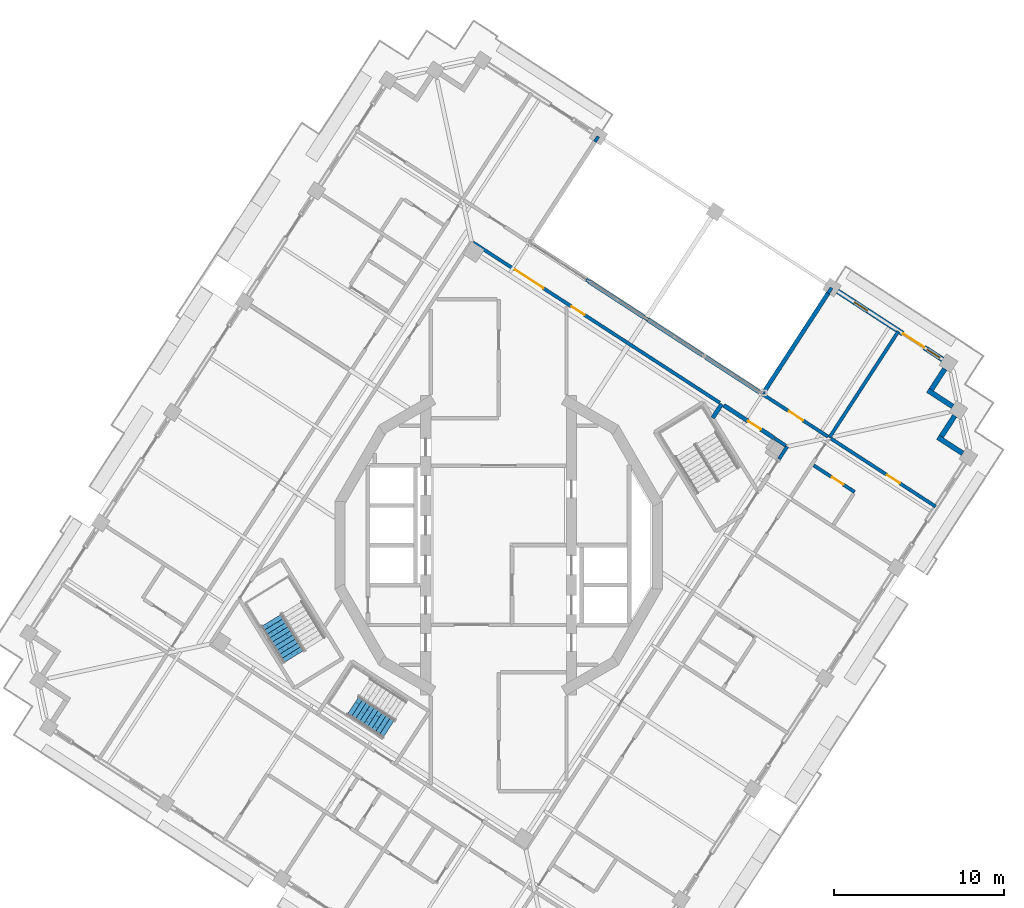
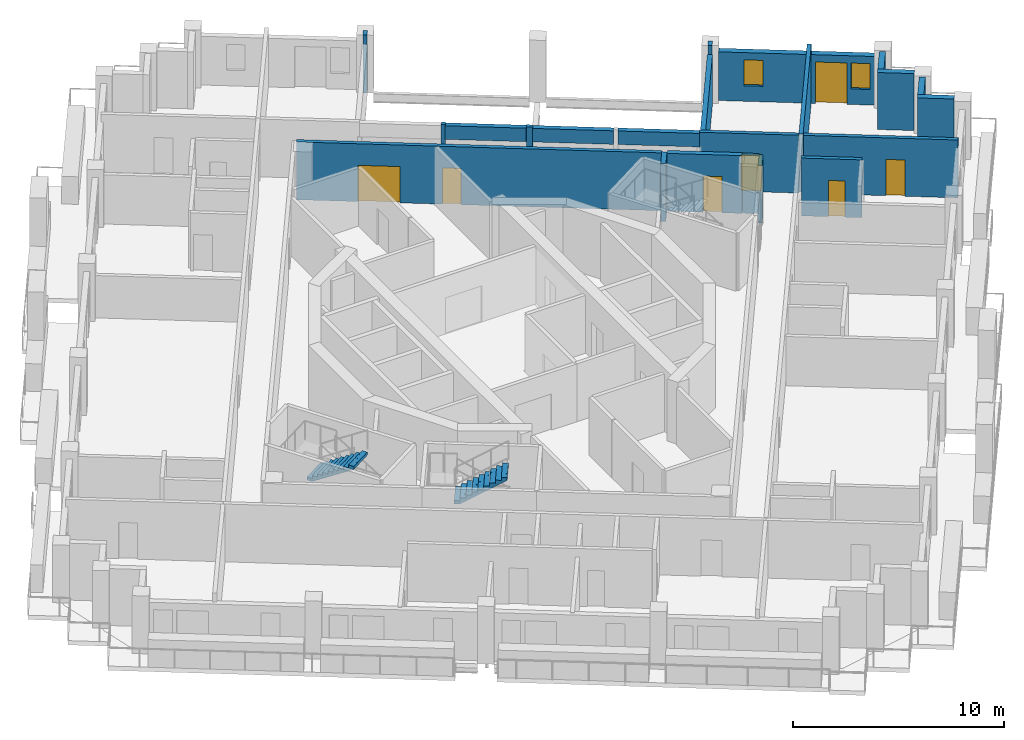
# One storey, part 11 of 17: 22 walls, 7 doors, 2 stair flights, 2 windows, 9 openings, 2 elements without a shape of their own.
"""IFC4 building model written with IfcOpenShell, lengths in metres."""

from ifc_helpers import new_model, si_unit, direction, frame, frame_2d, origin, place, context, subcontext, project, spatial, polyline, rectangle, outline, extrude, material, layer, layer_set, type_object, element, fill, aggregate, save


model = new_model("IFC4")

# Units and contexts
model_context = context("Model", 3, precision=1e-05, world=origin(), true_north=direction((0.0, 1.0)))
body_context = subcontext(model_context, "Body", "Model", "MODEL_VIEW")
ifc_project = project(units=[si_unit("LENGTHUNIT", "METRE"), si_unit("AREAUNIT", "SQUARE_METRE"), si_unit("VOLUMEUNIT", "CUBIC_METRE"), si_unit("PLANEANGLEUNIT", "RADIAN"), si_unit("MASSUNIT", "GRAM", prefix="KILO")], contexts=[model_context])

# Site, building, storey
site_placement = place(None, origin())
site = spatial("IfcSite", under=ifc_project, at=site_placement, CompositionType="ELEMENT")
building_placement = place(site_placement, origin())
building = spatial("IfcBuilding", under=site, at=building_placement, Name="Cantera Rosa Tower", CompositionType="ELEMENT")
storey_placement = place(building_placement, frame((0.0, 0.0, 279.300048828125)))
storey = spatial("IfcBuildingStorey", under=building, at=storey_placement, Name="L63", CompositionType="ELEMENT", Elevation=279.300048828125)

# Wall, openings, doors
ifc_material_1 = material(Name="Gypsum board partition")
ifc_layer_1 = layer(ifc_material_1, 0.199951171875)
ifc_layer_set_1 = layer_set([ifc_layer_1], Name="CORRIDOR WALL 200 H3350")
wall_type_1 = type_object("IfcWallType", Name="CORRIDOR WALL 200 H3350", PredefinedType="PARTITIONING", material=ifc_layer_set_1)
wall_1_placement = place(storey_placement, frame((13.04052734375, 8.4033203125, 0.0), z_axis=(0.0, 0.0, 1.0), x_axis=(-0.838668077111, 0.544642870545, 0.0)))
wall_1 = element("IfcWall", 1, at=wall_1_placement, inside=storey, type_object=wall_type_1, Name="CORRIDOR WALL L63-089", PredefinedType="PARTITIONING", context=body_context, shape_type="SweptSolid", body=[
    extrude(rectangle(XDim=17.340087890625, YDim=0.199951171875, at=frame_2d((8.669921875, 0.0))), origin(), (0.0, 0.0, 1.0), 3.349853515625),
])
opening_1_placement = place(wall_1_placement, frame((9.5107421875, 0.0, 0.0)))
opening_1 = element("IfcOpeningElement", 2, at=opening_1_placement, cuts=wall_1, Name="Opening L63-007", PredefinedType="OPENING", context=body_context, shape_type="SweptSolid", body=[
    extrude(rectangle(XDim=0.89990234375, YDim=2.10009765625, at=frame_2d((0.449951171875, 1.050048828125))), frame((0.0, 0.10986328125, 0.0), z_axis=(0.0, -1.0, 0.0), x_axis=(1.0, 0.0, 0.0)), (0.0, 0.0, 1.0), 0.219970703125),
])
opening_2_placement = place(wall_1_placement, frame((12.409912109375, 0.0, 0.0)))
opening_2 = element("IfcOpeningElement", 3, at=opening_2_placement, cuts=wall_1, Name="Opening L63-008", PredefinedType="OPENING", context=body_context, shape_type="SweptSolid", body=[
    extrude(rectangle(XDim=2.0, YDim=2.10009765625, at=frame_2d((1.0, 1.050048828125))), frame((0.0, 0.10986328125, 0.0), z_axis=(0.0, -1.0, 0.0), x_axis=(1.0, 0.0, 0.0)), (0.0, 0.0, 1.0), 0.219970703125),
])
ifc_material_2 = material(Name="Steel S355J2 (EN 10025-2)", Category="steel")
door_type_1 = type_object("IfcDoorType", Name="LOBBY SCREEN DOOR 2000x2100", OperationType="NOTDEFINED", PredefinedType="DOOR", material=ifc_material_2)
door_1_placement = place(opening_2_placement, origin())
door_1 = element("IfcDoor", 4, at=door_1_placement, inside=storey, type_object=door_type_1, Name="DOOR L63-008", OperationType="NOTDEFINED", OverallHeight=2.10009765625, OverallWidth=2.0, PredefinedType="DOOR", context=body_context, shape_type="SweptSolid", body=[
    extrude(rectangle(XDim=2.0, YDim=2.10009765625, at=frame_2d((1.0, 1.050048828125))), frame((0.0, 0.02490234375, 0.0), z_axis=(0.0, -1.0, 0.0), x_axis=(1.0, 0.0, 0.0)), (0.0, 0.0, 1.0), 0.050048828125),
])
fill(opening_2, door_1)
ifc_material_3 = material(Name="Timber door leaf", Category="wood")
door_type_2 = type_object("IfcDoorType", Name="SERVICE DOOR 900x2100", OperationType="NOTDEFINED", PredefinedType="DOOR", material=ifc_material_3)
door_2_placement = place(opening_1_placement, origin())
door_2 = element("IfcDoor", 5, at=door_2_placement, inside=storey, type_object=door_type_2, Name="DOOR L63-007", OperationType="NOTDEFINED", OverallHeight=2.10009765625, OverallWidth=0.89990234375, PredefinedType="DOOR", context=body_context, shape_type="SweptSolid", body=[
    extrude(rectangle(XDim=0.89990234375, YDim=2.10009765625, at=frame_2d((0.449951171875, 1.050048828125))), frame((0.0, 0.02490234375, 0.0), z_axis=(0.0, -1.0, 0.0), x_axis=(1.0, 0.0, 0.0)), (0.0, 0.0, 1.0), 0.050048828125),
])
fill(opening_1, door_2)

# Walls
wall_2_placement = place(storey_placement, frame((16.53662109375, 5.083740234375, 0.0), z_axis=(0.0, 0.0, 1.0), x_axis=(0.544607977269, 0.838690736264, 0.0)))
element("IfcWall", 6, at=wall_2_placement, inside=storey, type_object=wall_type_1, Name="CORRIDOR WALL L63-099", PredefinedType="PARTITIONING", context=body_context, shape_type="SweptSolid", body=[
    extrude(rectangle(XDim=0.8798828125, YDim=0.199951171875, at=frame_2d((0.43994140625, 0.0))), origin(), (0.0, 0.0, 1.0), 3.349853515625),
])
wall_3_placement = place(storey_placement, frame((16.931884765625, 5.876220703125, 0.0), z_axis=(0.0, 0.0, 1.0), x_axis=(-0.838636669764, 0.544691230082, 0.0)))
element("IfcWall", 7, at=wall_3_placement, inside=storey, type_object=wall_type_1, Name="CORRIDOR WALL L63-100", PredefinedType="PARTITIONING", context=body_context, shape_type="SweptSolid", body=[
    extrude(rectangle(XDim=0.77978515625, YDim=0.199951171875, at=frame_2d((0.389892578125, 0.0))), origin(), (0.0, 0.0, 1.0), 3.349853515625),
])

# Wall, opening, door
wall_4_placement = place(storey_placement, frame((19.422119140625, 6.405517578125, 0.0), z_axis=(0.0, 0.0, 1.0), x_axis=(-0.838698511903, 0.544596002677, 0.0)))
wall_4 = element("IfcWall", 8, at=wall_4_placement, inside=storey, type_object=wall_type_1, Name="CORRIDOR WALL L63-103", PredefinedType="PARTITIONING", context=body_context, shape_type="SweptSolid", body=[
    extrude(rectangle(XDim=4.72509765625, YDim=0.199951171875, at=frame_2d((2.362548828125, 0.0))), origin(), (0.0, 0.0, 1.0), 3.349853515625),
])
opening_3_placement = place(wall_4_placement, frame((1.75, 0.0, 0.0)))
opening_3 = element("IfcOpeningElement", 9, at=opening_3_placement, cuts=wall_4, Name="Opening L63-020", PredefinedType="OPENING", context=body_context, shape_type="SweptSolid", body=[
    extrude(rectangle(XDim=1.0, YDim=2.10009765625, at=frame_2d((0.5, 1.050048828125))), frame((0.0, 0.10986328125, 0.0), z_axis=(0.0, -1.0, 0.0), x_axis=(1.0, 0.0, 0.0)), (0.0, 0.0, 1.0), 0.219970703125),
])
ifc_material_4 = material(Name="Timber door leaf", Category="wood")
door_type_3 = type_object("IfcDoorType", Name="ROOM DOOR 1000x2100", OperationType="NOTDEFINED", PredefinedType="DOOR", material=ifc_material_4)
door_3_placement = place(opening_3_placement, origin())
door_3 = element("IfcDoor", 10, at=door_3_placement, inside=storey, type_object=door_type_3, Name="DOOR L63-020", OperationType="NOTDEFINED", OverallHeight=2.10009765625, OverallWidth=1.0, PredefinedType="DOOR", context=body_context, shape_type="SweptSolid", body=[
    extrude(rectangle(XDim=1.0, YDim=2.10009765625, at=frame_2d((0.5, 1.050048828125))), frame((0.0, 0.02490234375, 0.0), z_axis=(0.0, -1.0, 0.0), x_axis=(1.0, 0.0, 0.0)), (0.0, 0.0, 1.0), 0.050048828125),
])
fill(opening_3, door_3)

# Walls
wall_5_placement = place(storey_placement, frame((8.815673828125, 13.293212890625, 0.0), z_axis=(0.0, 0.0, 1.0), x_axis=(-0.838479965168, 0.54493242518, 0.0)))
element("IfcWall", 11, at=wall_5_placement, inside=storey, type_object=wall_type_1, Name="CORRIDOR WALL L63-105", PredefinedType="PARTITIONING", context=body_context, shape_type="SweptSolid", body=[
    extrude(rectangle(XDim=0.306884765625, YDim=0.199951171875, at=frame_2d((0.1533203125, 0.0))), origin(), (0.0, 0.0, 1.0), 3.349853515625),
])
wall_6_placement = place(storey_placement, frame((5.329833984375, 15.556884765625, 0.0), z_axis=(0.0, 0.0, 1.0), x_axis=(-0.838759510481, 0.544502051032, 0.0)))
element("IfcWall", 12, at=wall_6_placement, inside=storey, type_object=wall_type_1, Name="CORRIDOR WALL L63-106", PredefinedType="PARTITIONING", context=body_context, shape_type="SweptSolid", body=[
    extrude(rectangle(XDim=0.194091796875, YDim=0.199951171875, at=frame_2d((0.09716796875, 0.0))), origin(), (0.0, 0.0, 1.0), 3.349853515625),
])
ifc_material_5 = material(Name="Hollow clay masonry with cantera stone cladding", Category="masonry")
ifc_layer_2 = layer(ifc_material_5, 0.300048828125)
ifc_layer_set_2 = layer_set([ifc_layer_2], Name="EW-LOGGIA 300")
wall_type_2 = type_object("IfcWallType", Name="EW-LOGGIA 300", PredefinedType="SOLIDWALL", material=ifc_layer_set_2)
wall_7_placement = place(storey_placement, frame((27.36669921875, 5.41943359375, 0.0), z_axis=(0.0, 0.0, 1.0), x_axis=(-0.838685761837, 0.54461563776, 0.0)))
element("IfcWall", 13, at=wall_7_placement, inside=storey, type_object=wall_type_2, Name="EN-L63-W25a", PredefinedType="SOLIDWALL", context=body_context, shape_type="SweptSolid", body=[
    extrude(rectangle(XDim=1.75, YDim=0.300048828125, at=frame_2d((0.875, 0.0))), origin(), (0.0, 0.0, 1.0), 3.300048828125),
])
wall_8_placement = place(storey_placement, frame((26.1064453125, 6.41650390625, 0.0), z_axis=(0.0, 0.0, 1.0), x_axis=(0.54467465438, 0.838647435384, 0.0)))
element("IfcWall", 14, at=wall_8_placement, inside=storey, type_object=wall_type_2, Name="EN-L63-W25b", PredefinedType="SOLIDWALL", context=body_context, shape_type="SweptSolid", body=[
    extrude(rectangle(XDim=1.449951171875, YDim=0.300048828125, at=frame_2d((0.72509765625, 0.0))), origin(), (0.0, 0.0, 1.0), 3.300048828125),
])
wall_9_placement = place(storey_placement, frame((26.778564453125, 8.18603515625, 0.0), z_axis=(0.0, 0.0, 1.0), x_axis=(-0.838685761837, 0.54461563776, 0.0)))
element("IfcWall", 15, at=wall_9_placement, inside=storey, type_object=wall_type_2, Name="EN-L63-W26a", PredefinedType="SOLIDWALL", context=body_context, shape_type="SweptSolid", body=[
    extrude(rectangle(XDim=1.75, YDim=0.300048828125, at=frame_2d((0.875, 0.0))), origin(), (0.0, 0.0, 1.0), 3.300048828125),
])
wall_10_placement = place(storey_placement, frame((25.518310546875, 9.18310546875, 0.0), z_axis=(0.0, 0.0, 1.0), x_axis=(0.54467465438, 0.838647435384, 0.0)))
element("IfcWall", 16, at=wall_10_placement, inside=storey, type_object=wall_type_2, Name="EN-L63-W26b", PredefinedType="SOLIDWALL", context=body_context, shape_type="SweptSolid", body=[
    extrude(rectangle(XDim=1.449951171875, YDim=0.300048828125, at=frame_2d((0.72509765625, 0.0))), origin(), (0.0, 0.0, 1.0), 3.300048828125),
])

# Wall, openings, windows, door
ifc_material_6 = material(Name="Hollow clay masonry with cantera stone cladding", Category="masonry")
ifc_layer_3 = layer(ifc_material_6, 0.300048828125)
ifc_layer_set_3 = layer_set([ifc_layer_3], Name="EW-LOGGIA 300 H2820")
wall_type_3 = type_object("IfcWallType", Name="EW-LOGGIA 300 H2820", PredefinedType="SOLIDWALL", material=ifc_layer_set_3)
wall_11_placement = place(storey_placement, frame((26.1904296875, 10.95263671875, 0.0), z_axis=(0.0, 0.0, 1.0), x_axis=(-0.838669679097, 0.544640403719, 0.0)))
wall_11 = element("IfcWall", 17, at=wall_11_placement, inside=storey, type_object=wall_type_3, Name="EN-L63-W01", PredefinedType="SOLIDWALL", context=body_context, shape_type="SweptSolid", body=[
    extrude(rectangle(XDim=7.39990234375, YDim=0.300048828125, at=frame_2d((3.699951171875, 0.0))), origin(), (0.0, 0.0, 1.0), 2.820068359375),
])
opening_4_placement = place(wall_11_placement, frame((0.199951171875, 0.0, 0.89990234375)))
opening_4 = element("IfcOpeningElement", 18, at=opening_4_placement, cuts=wall_11, Name="Opening L63-W01", PredefinedType="OPENING", context=body_context, shape_type="SweptSolid", body=[
    extrude(rectangle(XDim=0.89990234375, YDim=1.5, at=frame_2d((0.449951171875, 0.75))), frame((0.0, 0.159912109375, 0.0), z_axis=(0.0, -1.0, 0.0), x_axis=(1.0, 0.0, 0.0)), (0.0, 0.0, 1.0), 0.320068359375),
])
opening_5_placement = place(wall_11_placement, frame((1.300048828125, 0.0, 0.0)))
opening_5 = element("IfcOpeningElement", 19, at=opening_5_placement, cuts=wall_11, Name="Opening L63-TD02", PredefinedType="OPENING", context=body_context, shape_type="SweptSolid", body=[
    extrude(rectangle(XDim=1.5, YDim=2.39990234375, at=frame_2d((0.75, 1.199951171875))), frame((0.0, 0.159912109375, 0.0), z_axis=(0.0, -1.0, 0.0), x_axis=(1.0, 0.0, 0.0)), (0.0, 0.0, 1.0), 0.320068359375),
])
opening_6_placement = place(wall_11_placement, frame((5.300048828125, 0.0, 0.89990234375)))
opening_6 = element("IfcOpeningElement", 20, at=opening_6_placement, cuts=wall_11, Name="Opening L63-W03", PredefinedType="OPENING", context=body_context, shape_type="SweptSolid", body=[
    extrude(rectangle(XDim=0.89990234375, YDim=1.5, at=frame_2d((0.449951171875, 0.75))), frame((0.0, 0.159912109375, 0.0), z_axis=(0.0, -1.0, 0.0), x_axis=(1.0, 0.0, 0.0)), (0.0, 0.0, 1.0), 0.320068359375),
])
ifc_material_7 = material(Name="Aluminium frame with clear glass", Category="aluminium")
window_type = type_object("IfcWindowType", Name="Residential window 900x1500", PartitioningType="SINGLE_PANEL", PredefinedType="WINDOW", material=ifc_material_7)
window_1_placement = place(opening_4_placement, origin())
window_1 = element("IfcWindow", 21, at=window_1_placement, inside=storey, type_object=window_type, Name="WINDOW L63-W01", OverallHeight=1.5, OverallWidth=0.89990234375, PartitioningType="SINGLE_PANEL", PredefinedType="WINDOW", context=body_context, shape_type="SweptSolid", body=[
    extrude(rectangle(XDim=0.89990234375, YDim=1.5, at=frame_2d((0.449951171875, 0.75))), frame((0.0, 0.030029296875, 0.0), z_axis=(0.0, -1.0, 0.0), x_axis=(1.0, 0.0, 0.0)), (0.0, 0.0, 1.0), 0.06005859375),
])
fill(opening_4, window_1)
window_2_placement = place(opening_6_placement, origin())
window_2 = element("IfcWindow", 22, at=window_2_placement, inside=storey, type_object=window_type, Name="WINDOW L63-W03", OverallHeight=1.5, OverallWidth=0.89990234375, PartitioningType="SINGLE_PANEL", PredefinedType="WINDOW", context=body_context, shape_type="SweptSolid", body=[
    extrude(rectangle(XDim=0.89990234375, YDim=1.5, at=frame_2d((0.449951171875, 0.75))), frame((0.0, 0.030029296875, 0.0), z_axis=(0.0, -1.0, 0.0), x_axis=(1.0, 0.0, 0.0)), (0.0, 0.0, 1.0), 0.06005859375),
])
fill(opening_6, window_2)
ifc_material_8 = material(Name="Aluminium frame with clear glass", Category="aluminium")
door_type_4 = type_object("IfcDoorType", Name="TD-R 1500x2400", OperationType="NOTDEFINED", PredefinedType="DOOR", material=ifc_material_8)
door_4_placement = place(opening_5_placement, origin())
door_4 = element("IfcDoor", 23, at=door_4_placement, inside=storey, type_object=door_type_4, Name="LOGGIA DOOR L63-TD02", OperationType="SLIDING_TO_LEFT", OverallHeight=2.39990234375, OverallWidth=1.5, PredefinedType="DOOR", context=body_context, shape_type="SweptSolid", body=[
    extrude(rectangle(XDim=1.5, YDim=2.39990234375, at=frame_2d((0.75, 1.199951171875))), frame((0.0, 0.02490234375, 0.0), z_axis=(0.0, -1.0, 0.0), x_axis=(1.0, 0.0, 0.0)), (0.0, 0.0, 1.0), 0.050048828125),
])
fill(opening_5, door_4)

# Walls
ifc_material_9 = material(Name="Concrete C40/50", Category="concrete")
ifc_layer_4 = layer(ifc_material_9, 0.25)
ifc_layer_set_4 = layer_set([ifc_layer_4], Name="EW-POCKET CHEEK 250 H2820")
wall_type_4 = type_object("IfcWallType", Name="EW-POCKET CHEEK 250 H2820", PredefinedType="SOLIDWALL", material=ifc_layer_set_4)
wall_12_placement = place(storey_placement, frame((19.430908203125, 14.865234375, 0.0), z_axis=(0.0, 0.0, 1.0), x_axis=(-0.544622966657, -0.83868100264, 0.0)))
element("IfcWall", 24, at=wall_12_placement, inside=storey, type_object=wall_type_4, Name="POCKET CHEEK A L63", PredefinedType="SOLIDWALL", context=body_context, shape_type="SweptSolid", body=[
    extrude(rectangle(XDim=6.999755859375, YDim=0.25, at=frame_2d((3.5, 0.0))), origin(), (0.0, 0.0, 1.0), 2.820068359375),
])
ifc_material_10 = material(Name="Hollow clay masonry with cantera stone cladding", Category="masonry")
ifc_layer_5 = layer(ifc_material_10, 0.25)
ifc_layer_set_5 = layer_set([ifc_layer_5], Name="EW-POCKET REAR 250")
wall_type_5 = type_object("IfcWallType", Name="EW-POCKET REAR 250", PredefinedType="SOLIDWALL", material=ifc_layer_set_5)
wall_13_placement = place(storey_placement, frame((15.459228515625, 8.978759765625, 2.515869140625), z_axis=(0.0, 0.0, 1.0), x_axis=(-0.838653543329, 0.544665249728, 0.0)))
element("IfcWall", 25, at=wall_13_placement, inside=storey, type_object=wall_type_5, Name="POCKET SPANDREL L63-1", PredefinedType="SOLIDWALL", context=body_context, shape_type="SweptSolid", body=[
    extrude(rectangle(XDim=3.878173828125, YDim=0.25, at=frame_2d((1.93896484375, 0.0))), origin(), (0.0, 0.0, 1.0), 0.7841796875),
])
wall_14_placement = place(storey_placement, frame((12.044189453125, 11.196533203125, 2.515869140625), z_axis=(0.0, 0.0, 1.0), x_axis=(-0.838663789624, 0.544649472572, 0.0)))
element("IfcWall", 26, at=wall_14_placement, inside=storey, type_object=wall_type_5, Name="POCKET SPANDREL L63-2", PredefinedType="SOLIDWALL", context=body_context, shape_type="SweptSolid", body=[
    extrude(rectangle(XDim=3.849609375, YDim=0.25, at=frame_2d((1.9248046875, 0.0))), origin(), (0.0, 0.0, 1.0), 0.7841796875),
])
wall_15_placement = place(storey_placement, frame((8.558349609375, 13.46044921875, 2.515869140625), z_axis=(0.0, 0.0, 1.0), x_axis=(-0.838692758207, 0.544604863485, 0.0)))
element("IfcWall", 27, at=wall_15_placement, inside=storey, type_object=wall_type_5, Name="POCKET SPANDREL L63-3", PredefinedType="SOLIDWALL", context=body_context, shape_type="SweptSolid", body=[
    extrude(rectangle(XDim=3.849365234375, YDim=0.25, at=frame_2d((1.9248046875, 0.0))), origin(), (0.0, 0.0, 1.0), 0.7841796875),
])
ifc_material_11 = material(Name="Gypsum board partition")
ifc_layer_6 = layer(ifc_material_11, 0.199951171875)
ifc_layer_set_6 = layer_set([ifc_layer_6], Name="PARTITION 200 H3350")
wall_type_6 = type_object("IfcWallType", Name="PARTITION 200 H3350", PredefinedType="PARTITIONING", material=ifc_layer_set_6)
for number, where, z_axis, x_axis, name in (
    (28, (5.87841796875, 24.107666015625, 0.0), (0.0, 0.0, 1.0), (-0.544918783731, -0.838488830657, 0.0), "PARTITION L63-075"),
    (29, (19.430908203125, 14.865234375, 0.0), (0.0, 0.0, 1.0), (0.544918783731, 0.838488830657, 0.0), "PARTITION L63-095"),
):
    element("IfcWall", number, at=place(storey_placement, frame(where, z_axis=z_axis, x_axis=x_axis)), inside=storey, type_object=wall_type_6, Name=name, PredefinedType="PARTITIONING", context=body_context, shape_type="SweptSolid", body=[
        extrude(rectangle(XDim=0.3701171875, YDim=0.199951171875, at=frame_2d((0.18505859375, 0.0))), origin(), (0.0, 0.0, 1.0), 3.349853515625),
    ])

# Wall, opening, door
wall_16_placement = place(storey_placement, frame((18.58251953125, 4.708984375, 0.0), z_axis=(0.0, 0.0, 1.0), x_axis=(0.838654665308, -0.544663522147, 0.0)))
wall_16 = element("IfcWall", 30, at=wall_16_placement, inside=storey, type_object=wall_type_6, Name="PARTITION L63-102", PredefinedType="PARTITIONING", context=body_context, shape_type="SweptSolid", body=[
    extrude(rectangle(XDim=2.8798828125, YDim=0.199951171875, at=frame_2d((1.43994140625, 0.0))), origin(), (0.0, 0.0, 1.0), 3.349853515625),
])
opening_7_placement = place(wall_16_placement, frame((1.280029296875, 0.0, 0.0)))
opening_7 = element("IfcOpeningElement", 31, at=opening_7_placement, cuts=wall_16, Name="Opening L63-049", PredefinedType="OPENING", context=body_context, shape_type="SweptSolid", body=[
    extrude(rectangle(XDim=0.800048828125, YDim=2.10009765625, at=frame_2d((0.39990234375, 1.050048828125))), frame((0.0, 0.10986328125, 0.0), z_axis=(0.0, -1.0, 0.0), x_axis=(1.0, 0.0, 0.0)), (0.0, 0.0, 1.0), 0.219970703125),
])
ifc_material_12 = material(Name="Timber door leaf", Category="wood")
door_type_5 = type_object("IfcDoorType", Name="BATHROOM DOOR 800x2100", OperationType="NOTDEFINED", PredefinedType="DOOR", material=ifc_material_12)
door_5_placement = place(opening_7_placement, origin())
door_5 = element("IfcDoor", 32, at=door_5_placement, inside=storey, type_object=door_type_5, Name="DOOR L63-049", OperationType="NOTDEFINED", OverallHeight=2.10009765625, OverallWidth=0.800048828125, PredefinedType="DOOR", context=body_context, shape_type="SweptSolid", body=[
    extrude(rectangle(XDim=0.800048828125, YDim=2.10009765625, at=frame_2d((0.39990234375, 1.050048828125))), frame((0.0, 0.02490234375, 0.0), z_axis=(0.0, -1.0, 0.0), x_axis=(1.0, 0.0, 0.0)), (0.0, 0.0, 1.0), 0.050048828125),
])
fill(opening_7, door_5)

wall_17_placement = place(storey_placement, frame((25.770751953125, 2.282470703125, 0.0), z_axis=(0.0, 0.0, 1.0), x_axis=(-0.838668934217, 0.544641550729, 0.0)))
wall_17 = element("IfcWall", 33, at=wall_17_placement, inside=storey, type_object=wall_type_6, Name="PARTITION L63-110", PredefinedType="PARTITIONING", context=body_context, shape_type="SweptSolid", body=[
    extrude(rectangle(XDim=7.35009765625, YDim=0.199951171875, at=frame_2d((3.675048828125, 0.0))), origin(), (0.0, 0.0, 1.0), 3.349853515625),
])
opening_8_placement = place(wall_17_placement, frame((2.52001953125, 0.0, 0.0)))
opening_8 = element("IfcOpeningElement", 34, at=opening_8_placement, cuts=wall_17, Name="Opening L63-050", PredefinedType="OPENING", context=body_context, shape_type="SweptSolid", body=[
    extrude(rectangle(XDim=0.89990234375, YDim=2.10009765625, at=frame_2d((0.449951171875, 1.050048828125))), frame((0.0, 0.10986328125, 0.0), z_axis=(0.0, -1.0, 0.0), x_axis=(1.0, 0.0, 0.0)), (0.0, 0.0, 1.0), 0.219970703125),
])
ifc_material_13 = material(Name="Timber door leaf", Category="wood")
door_type_6 = type_object("IfcDoorType", Name="ROOM DOOR 900x2100", OperationType="NOTDEFINED", PredefinedType="DOOR", material=ifc_material_13)
door_6_placement = place(opening_8_placement, origin())
door_6 = element("IfcDoor", 35, at=door_6_placement, inside=storey, type_object=door_type_6, Name="DOOR L63-050", OperationType="NOTDEFINED", OverallHeight=2.10009765625, OverallWidth=0.89990234375, PredefinedType="DOOR", context=body_context, shape_type="SweptSolid", body=[
    extrude(rectangle(XDim=0.89990234375, YDim=2.10009765625, at=frame_2d((0.449951171875, 1.050048828125))), frame((0.0, 0.02490234375, 0.0), z_axis=(0.0, -1.0, 0.0), x_axis=(1.0, 0.0, 0.0)), (0.0, 0.0, 1.0), 0.050048828125),
])
fill(opening_8, door_6)

# Walls
ifc_material_14 = material(Name="Gypsum board partition")
ifc_layer_7 = layer(ifc_material_14, 0.199951171875)
ifc_layer_set_7 = layer_set([ifc_layer_7], Name="PARTY WALL 200 H3350")
wall_type_7 = type_object("IfcWallType", Name="PARTY WALL 200 H3350", PredefinedType="PARTITIONING", material=ifc_layer_set_7)
wall_18_placement = place(storey_placement, frame((23.57421875, 12.61572265625, 0.0), z_axis=(0.0, 0.0, 1.0), x_axis=(-0.544643659397, -0.838667564818, 0.0)))
element("IfcWall", 36, at=wall_18_placement, inside=storey, type_object=wall_type_7, Name="PARTY WALL L63-109", PredefinedType="PARTITIONING", context=body_context, shape_type="SweptSolid", body=[
    extrude(rectangle(XDim=7.4697265625, YDim=0.199951171875, at=frame_2d((3.73486328125, 0.0))), origin(), (0.0, 0.0, 1.0), 3.349853515625),
])
ifc_material_15 = material(Name="Masonry blockwork", Category="masonry")
ifc_layer_8 = layer(ifc_material_15, 0.25)
ifc_layer_set_8 = layer_set([ifc_layer_8], Name="SHAFT WALL 250 H3350")
wall_type_8 = type_object("IfcWallType", Name="SHAFT WALL 250 H3350", PredefinedType="SOLIDWALL", material=ifc_layer_set_8)
wall_19_placement = place(storey_placement, frame((12.62353515625, 7.50390625, 0.0), z_axis=(0.0, 0.0, 1.0), x_axis=(0.544612261158, 0.838687954484, 0.0)))
element("IfcWall", 37, at=wall_19_placement, inside=storey, type_object=wall_type_8, Name="SHAFT WALL L63-086", PredefinedType="SOLIDWALL", context=body_context, shape_type="SweptSolid", body=[
    extrude(rectangle(XDim=0.981201171875, YDim=0.25, at=frame_2d((0.49072265625, 0.0))), origin(), (0.0, 0.0, 1.0), 3.349853515625),
])

# Wall, opening, door
wall_20_placement = place(storey_placement, frame((16.260986328125, 6.31201171875, 0.0), z_axis=(0.0, 0.0, 1.0), x_axis=(-0.83868953423, 0.544609828385, 0.0)))
wall_20 = element("IfcWall", 38, at=wall_20_placement, inside=storey, type_object=wall_type_8, Name="SHAFT WALL L63-097", PredefinedType="SOLIDWALL", context=body_context, shape_type="SweptSolid", body=[
    extrude(rectangle(XDim=3.559814453125, YDim=0.25, at=frame_2d((1.77978515625, 0.0))), origin(), (0.0, 0.0, 1.0), 3.349853515625),
])
opening_9_placement = place(wall_20_placement, frame((0.949951171875, 0.0, 0.0)))
opening_9 = element("IfcOpeningElement", 39, at=opening_9_placement, cuts=wall_20, Name="Opening L63-051", PredefinedType="OPENING", context=body_context, shape_type="SweptSolid", body=[
    extrude(rectangle(XDim=0.89990234375, YDim=2.10009765625, at=frame_2d((0.449951171875, 1.050048828125))), frame((0.0, 0.135009765625, 0.0), z_axis=(0.0, -1.0, 0.0), x_axis=(1.0, 0.0, 0.0)), (0.0, 0.0, 1.0), 0.27001953125),
])
door_7_placement = place(opening_9_placement, origin())
door_7 = element("IfcDoor", 40, at=door_7_placement, inside=storey, type_object=door_type_2, Name="RISER DOOR L63-051", OperationType="NOTDEFINED", OverallHeight=2.10009765625, OverallWidth=0.89990234375, PredefinedType="DOOR", context=body_context, shape_type="SweptSolid", body=[
    extrude(rectangle(XDim=0.89990234375, YDim=2.10009765625, at=frame_2d((0.449951171875, 1.050048828125))), frame((0.0, 0.02490234375, 0.0), z_axis=(0.0, -1.0, 0.0), x_axis=(1.0, 0.0, 0.0)), (0.0, 0.0, 1.0), 0.050048828125),
])
fill(opening_9, door_7)

# Stair, stair flight
ifc_material_16 = material(Name="Concrete C35/45", Category="concrete")
stair_type_1 = type_object("IfcStairType", Name="EXIT STAIR 1200 DOGLEG", PredefinedType="HALF_TURN_STAIR", material=ifc_material_16)
stair_1_placement = place(storey_placement, origin())
stair_1 = element("IfcStair", 41, at=stair_1_placement, inside=storey, type_object=stair_type_1, Name="L63 ST-53", PredefinedType="HALF_TURN_STAIR")
ifc_material_17 = material(Name="Concrete C35/45", Category="concrete")
stair_flight_type_1 = type_object("IfcStairFlightType", Name="STAIR FLIGHT 1200 R20x180", PredefinedType="STRAIGHT", material=ifc_material_17)
stair_flight_1_placement = place(storey_placement, frame((-8.61181640625, -9.488037109375, 1.800048828125), z_axis=(0.0, 0.0, 1.0), x_axis=(0.838670567945, -0.544639035015, 0.0)))
stair_flight_1 = element("IfcStairFlight", 42, at=stair_flight_1_placement, type_object=stair_flight_type_1, Name="ST-53 flight 2", NumberOfRisers=10, NumberOfTreads=9, PredefinedType="STRAIGHT", RiserHeight=0.18, TreadLength=0.28, context=body_context, shape_type="SweptSolid", body=[
    extrude(outline(polyline([(0.0, 0.0), (0.0, 0.179931640625), (0.280029296875, 0.179931640625), (0.280029296875, 0.360107421875), (0.56005859375, 0.360107421875), (0.56005859375, 0.5400390625), (0.840087890625, 0.5400390625), (0.840087890625, 0.719970703125), (1.1201171875, 0.719970703125), (1.1201171875, 0.89990234375), (1.39990234375, 0.89990234375), (1.39990234375, 1.080078125), (1.679931640625, 1.080078125), (1.679931640625, 1.260009765625), (1.9599609375, 1.260009765625), (1.9599609375, 1.43994140625), (2.239990234375, 1.43994140625), (2.239990234375, 1.6201171875), (2.52001953125, 1.6201171875), (2.52001953125, 1.800048828125), (2.52001953125, 1.44189453125), (0.277099609375, 0.0), (0.0, 0.0)])), frame((0.0, 0.60009765625, 0.0), z_axis=(0.0, -1.0, 0.0), x_axis=(1.0, 0.0, 0.0)), (0.0, 0.0, 1.0), 0.298583984375),
    extrude(outline(polyline([(0.0, 0.0), (0.0, 0.179931640625), (0.280029296875, 0.179931640625), (0.280029296875, 0.360107421875), (0.56005859375, 0.360107421875), (0.56005859375, 0.5400390625), (0.840087890625, 0.5400390625), (0.840087890625, 0.719970703125), (1.1201171875, 0.719970703125), (1.1201171875, 0.89990234375), (1.39990234375, 0.89990234375), (1.39990234375, 1.080078125), (1.679931640625, 1.080078125), (1.679931640625, 1.260009765625), (1.9599609375, 1.260009765625), (1.9599609375, 1.43994140625), (2.239990234375, 1.43994140625), (2.239990234375, 1.6201171875), (2.52001953125, 1.6201171875), (2.52001953125, 1.800048828125), (2.52001953125, 1.44189453125), (0.277099609375, 0.0), (0.0, 0.0)])), frame((0.0, 0.29931640625, 0.0), z_axis=(0.0, -1.0, 0.0), x_axis=(1.0, 0.0, 0.0)), (0.0, 0.0, 1.0), 0.298583984375),
    extrude(outline(polyline([(0.0, 0.0), (0.0, 0.179931640625), (0.280029296875, 0.179931640625), (0.280029296875, 0.360107421875), (0.56005859375, 0.360107421875), (0.56005859375, 0.5400390625), (0.840087890625, 0.5400390625), (0.840087890625, 0.719970703125), (1.1201171875, 0.719970703125), (1.1201171875, 0.89990234375), (1.39990234375, 0.89990234375), (1.39990234375, 1.080078125), (1.679931640625, 1.080078125), (1.679931640625, 1.260009765625), (1.9599609375, 1.260009765625), (1.9599609375, 1.43994140625), (2.239990234375, 1.43994140625), (2.239990234375, 1.6201171875), (2.52001953125, 1.6201171875), (2.52001953125, 1.800048828125), (2.52001953125, 1.44189453125), (0.277099609375, 0.0), (0.0, 0.0)])), frame((0.0, -0.0009765625, 0.0), z_axis=(0.0, -1.0, 0.0), x_axis=(1.0, 0.0, 0.0)), (0.0, 0.0, 1.0), 0.298583984375),
    extrude(outline(polyline([(0.0, 0.0), (0.0, 0.179931640625), (0.280029296875, 0.179931640625), (0.280029296875, 0.360107421875), (0.56005859375, 0.360107421875), (0.56005859375, 0.5400390625), (0.840087890625, 0.5400390625), (0.840087890625, 0.719970703125), (1.1201171875, 0.719970703125), (1.1201171875, 0.89990234375), (1.39990234375, 0.89990234375), (1.39990234375, 1.080078125), (1.679931640625, 1.080078125), (1.679931640625, 1.260009765625), (1.9599609375, 1.260009765625), (1.9599609375, 1.43994140625), (2.239990234375, 1.43994140625), (2.239990234375, 1.6201171875), (2.52001953125, 1.6201171875), (2.52001953125, 1.800048828125), (2.52001953125, 1.44189453125), (0.277099609375, 0.0), (0.0, 0.0)])), frame((0.0, -0.3017578125, 0.0), z_axis=(0.0, -1.0, 0.0), x_axis=(1.0, 0.0, 0.0)), (0.0, 0.0, 1.0), 0.298583984375),
])
aggregate(stair_1, [stair_flight_1])

ifc_material_18 = material(Name="Concrete C35/45", Category="concrete")
stair_type_2 = type_object("IfcStairType", Name="EXIT STAIR 1350 DOGLEG", PredefinedType="HALF_TURN_STAIR", material=ifc_material_18)
stair_2_placement = place(storey_placement, origin())
stair_2 = element("IfcStair", 43, at=stair_2_placement, inside=storey, type_object=stair_type_2, Name="L63 ST-52", PredefinedType="HALF_TURN_STAIR")
ifc_material_19 = material(Name="Concrete C35/45", Category="concrete")
stair_flight_type_2 = type_object("IfcStairFlightType", Name="STAIR FLIGHT 1350 R20x180", PredefinedType="STRAIGHT", material=ifc_material_19)
stair_flight_2_placement = place(storey_placement, frame((-13.42626953125, -4.4404296875, 1.800048828125), z_axis=(0.0, 0.0, 1.0), x_axis=(0.524976585286, -0.851116669383, 0.0)))
stair_flight_2 = element("IfcStairFlight", 44, at=stair_flight_2_placement, type_object=stair_flight_type_2, Name="ST-52 flight 2", NumberOfRisers=10, NumberOfTreads=9, PredefinedType="STRAIGHT", RiserHeight=0.18, TreadLength=0.28, context=body_context, shape_type="SweptSolid", body=[
    extrude(outline(polyline([(0.0, 0.0), (0.0, 0.179931640625), (0.280029296875, 0.179931640625), (0.280029296875, 0.360107421875), (0.56005859375, 0.360107421875), (0.56005859375, 0.5400390625), (0.840087890625, 0.5400390625), (0.840087890625, 0.719970703125), (1.1201171875, 0.719970703125), (1.1201171875, 0.89990234375), (1.39990234375, 0.89990234375), (1.39990234375, 1.080078125), (1.679931640625, 1.080078125), (1.679931640625, 1.260009765625), (1.9599609375, 1.260009765625), (1.9599609375, 1.43994140625), (2.239990234375, 1.43994140625), (2.239990234375, 1.6201171875), (2.52001953125, 1.6201171875), (2.52001953125, 1.800048828125), (2.52001953125, 1.44189453125), (0.277099609375, 0.0), (0.0, 0.0)])), frame((0.0, 0.675048828125, 0.0), z_axis=(0.0, -1.0, 0.0), x_axis=(1.0, 0.0, 0.0)), (0.0, 0.0, 1.0), 0.3359375),
    extrude(outline(polyline([(0.0, 0.0), (0.0, 0.179931640625), (0.280029296875, 0.179931640625), (0.280029296875, 0.360107421875), (0.56005859375, 0.360107421875), (0.56005859375, 0.5400390625), (0.840087890625, 0.5400390625), (0.840087890625, 0.719970703125), (1.1201171875, 0.719970703125), (1.1201171875, 0.89990234375), (1.39990234375, 0.89990234375), (1.39990234375, 1.080078125), (1.679931640625, 1.080078125), (1.679931640625, 1.260009765625), (1.9599609375, 1.260009765625), (1.9599609375, 1.43994140625), (2.239990234375, 1.43994140625), (2.239990234375, 1.6201171875), (2.52001953125, 1.6201171875), (2.52001953125, 1.800048828125), (2.52001953125, 1.44189453125), (0.277099609375, 0.0), (0.0, 0.0)])), frame((0.0, 0.337158203125, 0.0), z_axis=(0.0, -1.0, 0.0), x_axis=(1.0, 0.0, 0.0)), (0.0, 0.0, 1.0), 0.3359375),
    extrude(outline(polyline([(0.0, 0.0), (0.0, 0.179931640625), (0.280029296875, 0.179931640625), (0.280029296875, 0.360107421875), (0.56005859375, 0.360107421875), (0.56005859375, 0.5400390625), (0.840087890625, 0.5400390625), (0.840087890625, 0.719970703125), (1.1201171875, 0.719970703125), (1.1201171875, 0.89990234375), (1.39990234375, 0.89990234375), (1.39990234375, 1.080078125), (1.679931640625, 1.080078125), (1.679931640625, 1.260009765625), (1.9599609375, 1.260009765625), (1.9599609375, 1.43994140625), (2.239990234375, 1.43994140625), (2.239990234375, 1.6201171875), (2.52001953125, 1.6201171875), (2.52001953125, 1.800048828125), (2.52001953125, 1.44189453125), (0.277099609375, 0.0), (0.0, 0.0)])), frame((0.0, -0.000732421875, 0.0), z_axis=(0.0, -1.0, 0.0), x_axis=(1.0, 0.0, 0.0)), (0.0, 0.0, 1.0), 0.3359375),
    extrude(outline(polyline([(0.0, 0.0), (0.0, 0.179931640625), (0.280029296875, 0.179931640625), (0.280029296875, 0.360107421875), (0.56005859375, 0.360107421875), (0.56005859375, 0.5400390625), (0.840087890625, 0.5400390625), (0.840087890625, 0.719970703125), (1.1201171875, 0.719970703125), (1.1201171875, 0.89990234375), (1.39990234375, 0.89990234375), (1.39990234375, 1.080078125), (1.679931640625, 1.080078125), (1.679931640625, 1.260009765625), (1.9599609375, 1.260009765625), (1.9599609375, 1.43994140625), (2.239990234375, 1.43994140625), (2.239990234375, 1.6201171875), (2.52001953125, 1.6201171875), (2.52001953125, 1.800048828125), (2.52001953125, 1.44189453125), (0.277099609375, 0.0), (0.0, 0.0)])), frame((0.0, -0.338623046875, 0.0), z_axis=(0.0, -1.0, 0.0), x_axis=(1.0, 0.0, 0.0)), (0.0, 0.0, 1.0), 0.3359375),
])
aggregate(stair_2, [stair_flight_2])

save(model, "model.ifc")
